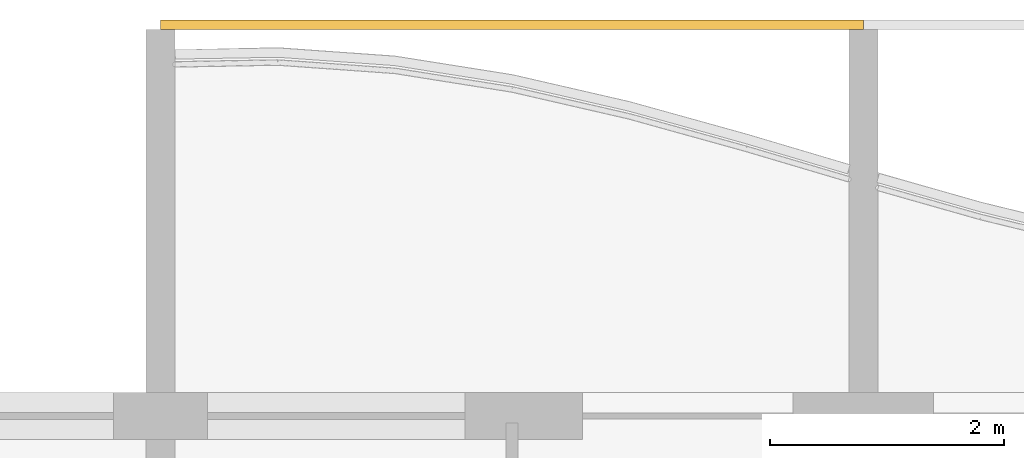
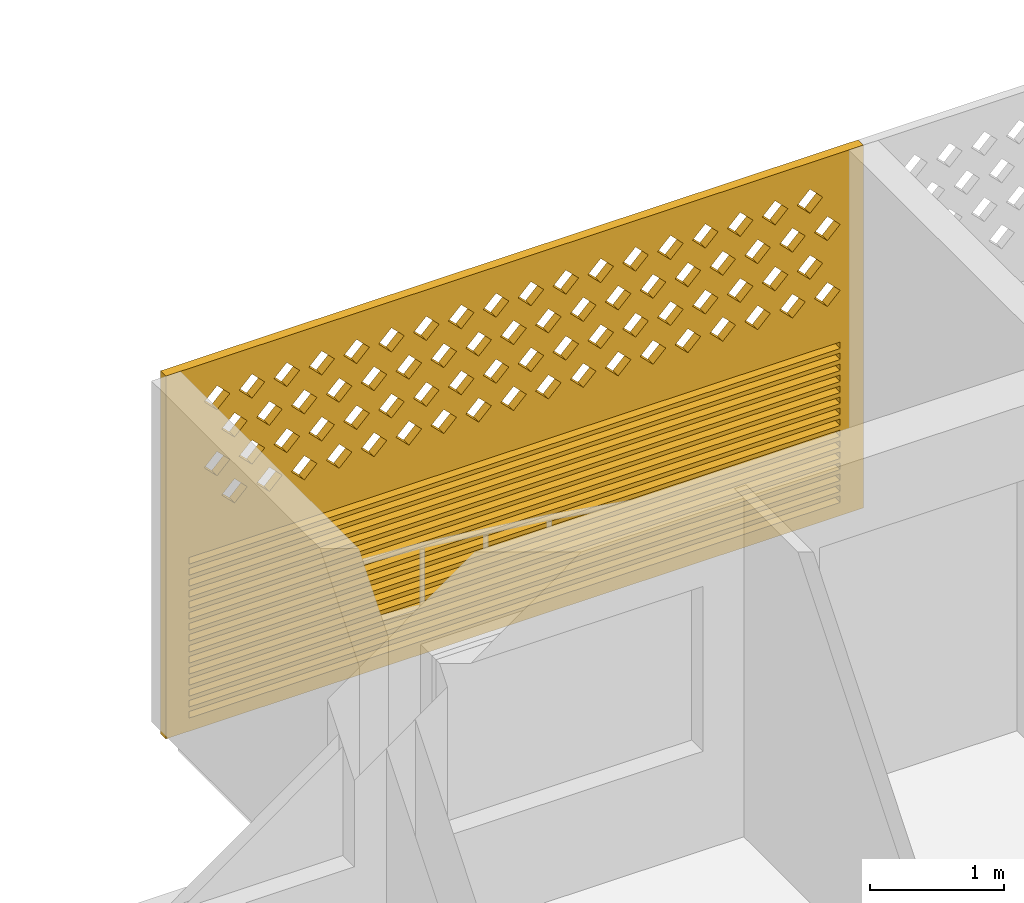
# One storey, part 21 of 27: 1 covering.
"""IFC4 building model written with IfcOpenShell, lengths in metres."""

import ifcopenshell
import ifcopenshell.guid

model = None  # the IFC model being written
_history = None  # IfcOwnerHistory: only IFC2X3 demands one
_inside = {}  # id of a spatial element -> (the spatial element, [elements in it])
_under = {}  # id of a project, library or spatial element -> (it, [spatial elements below it])
_declared = {}  # id of a project -> (the project, [libraries it declares])
_typed = {}  # id of a type object -> (the type object, [elements of that type])
_made_of = {}  # id of a material, layer set ... -> (it, [elements and type objects made of it])


def new_model(schema):
    """Start an empty IFC model of exactly this schema.

    Asked for "IFC4X3", IfcOpenShell would pick the latest addendum, in which some entities
    have other attributes; the version numbers below select the first issue.
    IFC2X3 requires an IfcOwnerHistory on every rooted entity: one is made here for all.
    """
    global model, _history
    if schema == "IFC4X3":
        model = ifcopenshell.file(schema_version=(4, 3, 0, 0))
    else:
        model = ifcopenshell.file(schema=schema)
    _inside.clear()
    _under.clear()
    _declared.clear()
    _typed.clear()
    _made_of.clear()
    _history = None
    if model.schema == "IFC2X3":
        org = make("IfcOrganization", Name="unknown")
        user = make(
            "IfcPersonAndOrganization",
            ThePerson=make("IfcPerson", FamilyName="unknown"),
            TheOrganization=org,
        )
        app = make(
            "IfcApplication",
            ApplicationDeveloper=org,
            Version="unknown",
            ApplicationFullName="unknown",
            ApplicationIdentifier="unknown",
        )
        _history = make(
            "IfcOwnerHistory",
            OwningUser=user,
            OwningApplication=app,
            ChangeAction="ADDED",
            CreationDate=0,
        )
    return model


def make(cls, **values):
    """One entity of the class cls with the attributes given. An attribute that is None is left unset."""
    return model.create_entity(
        cls, **{name: value for name, value in values.items() if value is not None}
    )


def rooted(cls, **values):
    """An entity with a GlobalId (a new one), such as an element, a storey or a relation."""
    return make(cls, GlobalId=ifcopenshell.guid.new(), OwnerHistory=_history, **values)


def si_unit(unit_type, name, prefix=None):
    """IfcSIUnit, for example si_unit("LENGTHUNIT", "METRE", prefix="MILLI")."""
    return make("IfcSIUnit", UnitType=unit_type, Prefix=prefix, Name=name)


def assignment(units):
    """IfcUnitAssignment: the units of a project."""
    return None if units is None else make("IfcUnitAssignment", Units=units)


def point(xyz):
    """IfcCartesianPoint."""
    return None if xyz is None else make("IfcCartesianPoint", Coordinates=xyz)


def direction(xyz):
    """IfcDirection."""
    return None if xyz is None else make("IfcDirection", DirectionRatios=xyz)


def frame(location, z_axis=None, x_axis=None):
    """IfcAxis2Placement3D, a coordinate frame: its origin and axes. An axis left out is left unset."""
    return make(
        "IfcAxis2Placement3D",
        Location=point(location),
        Axis=direction(z_axis),
        RefDirection=direction(x_axis),
    )


def origin():
    """The frame at (0, 0, 0) with its axes left unset."""
    return frame((0.0, 0.0, 0.0))


def place(relative_to, where):
    """IfcLocalPlacement: puts the frame where relative to a parent placement (None: the world)."""
    return make(
        "IfcLocalPlacement", PlacementRelTo=relative_to, RelativePlacement=where
    )


def context(
    kind, dimensions, precision=None, world=None, true_north=None, identifier=None
):
    """IfcGeometricRepresentationContext, for example the 3D "Model" context."""
    return make(
        "IfcGeometricRepresentationContext",
        ContextIdentifier=identifier,
        ContextType=kind,
        CoordinateSpaceDimension=dimensions,
        Precision=precision,
        WorldCoordinateSystem=world,
        TrueNorth=true_north,
    )


def subcontext(parent, identifier, kind, view, scale=None):
    """IfcGeometricRepresentationSubContext, for example "Body" below "Model"."""
    return make(
        "IfcGeometricRepresentationSubContext",
        ContextIdentifier=identifier,
        ContextType=kind,
        ParentContext=parent,
        TargetScale=scale,
        TargetView=view,
    )


def project(units=None, contexts=None):
    """IfcProject with its units and contexts."""
    return rooted(
        "IfcProject",
        Name="project",
        RepresentationContexts=contexts,
        UnitsInContext=assignment(units),
    )


def spatial(cls, under=None, at=None, **own):
    """A site, building, storey or space (cls), placed at a placement, below another one or the project."""
    s = rooted(cls, ObjectPlacement=at, **own)
    if under is not None:
        _under.setdefault(under.id(), (under, []))[1].append(s)
    return s


def polyline(points):
    """IfcPolyline through the points."""
    return make("IfcPolyline", Points=[point(p) for p in points])


def outline(outer, holes=None, kind="AREA"):
    """IfcArbitraryClosedProfileDef: a profile drawn as a closed curve; with holes, ...WithVoids."""
    if holes is None:
        return make("IfcArbitraryClosedProfileDef", ProfileType=kind, OuterCurve=outer)
    return make(
        "IfcArbitraryProfileDefWithVoids",
        ProfileType=kind,
        OuterCurve=outer,
        InnerCurves=holes,
    )


def extrude(swept, where, along, depth):
    """IfcExtrudedAreaSolid: the profile swept, set in the frame where, extruded along a direction by depth."""
    return make(
        "IfcExtrudedAreaSolid",
        SweptArea=swept,
        Position=where,
        ExtrudedDirection=direction(along),
        Depth=depth,
    )


def shape(context_of_items, identifier, shape_type, items):
    """IfcShapeRepresentation: the items that make up one representation, for example the "Body"."""
    return make(
        "IfcShapeRepresentation",
        ContextOfItems=context_of_items,
        RepresentationIdentifier=identifier,
        RepresentationType=shape_type,
        Items=items,
    )


def source(mapping_origin, context_of_items, identifier, shape_type, items):
    """IfcRepresentationMap: a shape defined once, which mapped items show again and again."""
    return make(
        "IfcRepresentationMap",
        MappingOrigin=mapping_origin,
        MappedRepresentation=shape(context_of_items, identifier, shape_type, items),
    )


def transform(
    local_origin,
    x_axis=None,
    y_axis=None,
    z_axis=None,
    scale=None,
    scale2=None,
    scale3=None,
    uniform=True,
):
    """IfcCartesianTransformationOperator3D, or its non-uniform kind. x_axis, y_axis, z_axis: its Axis1, 2, 3."""
    if uniform:
        return make(
            "IfcCartesianTransformationOperator3D",
            Axis1=direction(x_axis),
            Axis2=direction(y_axis),
            LocalOrigin=point(local_origin),
            Scale=scale,
            Axis3=direction(z_axis),
        )
    return make(
        "IfcCartesianTransformationOperator3DnonUniform",
        Axis1=direction(x_axis),
        Axis2=direction(y_axis),
        LocalOrigin=point(local_origin),
        Scale=scale,
        Axis3=direction(z_axis),
        Scale2=scale2,
        Scale3=scale3,
    )


def mapped(mapping_source, mapping_target):
    """IfcMappedItem: shows the shape of a source again, moved by a transform."""
    return make(
        "IfcMappedItem", MappingSource=mapping_source, MappingTarget=mapping_target
    )


def material(Name=None, Category=None):
    """IfcMaterial."""
    return make("IfcMaterial", Name=Name, Category=Category)


def material_profile(
    of_material, cross_section, Name=None, Category=None, Priority=None
):
    """IfcMaterialProfile: a cross section and its material."""
    return make(
        "IfcMaterialProfile",
        Name=Name,
        Material=of_material,
        Profile=cross_section,
        Priority=Priority,
        Category=Category,
    )


def profile_set(profiles, Name=None, composite=None):
    """IfcMaterialProfileSet."""
    return make(
        "IfcMaterialProfileSet",
        Name=Name,
        MaterialProfiles=profiles,
        CompositeProfile=composite,
    )


def made_of(thing, what):
    """Note that an element or type object is made of a material, layer set ...; save() writes the relation."""
    if what is not None:
        _made_of.setdefault(what.id(), (what, []))[1].append(thing)
    return thing


def type_object(cls, material=None, **own):
    """A type object (cls), such as IfcWallType, which elements share."""
    return made_of(rooted(cls, **own), material)


def element(
    cls,
    number,
    at=None,
    inside=None,
    cuts=None,
    type_object=None,
    material=None,
    context=None,
    identifier="Body",
    shape_type=None,
    held_by="IfcProductDefinitionShape",
    body=None,
    shapes=None,
    **own,
):
    """One element of the class cls, such as IfcWall. Its Tag is "e" and its number.

    at: its placement. inside: the storey or other place that contains it. cuts: it is an
    opening in that element (IfcRelVoidsElement). A single representation is given by context,
    identifier, shape_type and body (its items); several are given by shapes. held_by: the class
    of the entity that holds the representations. save() writes the other relations.
    """
    e = rooted(cls, Tag="e%d" % number, ObjectPlacement=at, **own)
    if body is not None:
        shapes = [shape(context, identifier, shape_type, body)]
    if shapes is not None:
        e.Representation = make(held_by, Representations=shapes)
    if inside is not None:
        _inside.setdefault(inside.id(), (inside, []))[1].append(e)
    if cuts is not None:
        rooted(
            "IfcRelVoidsElement", RelatingBuildingElement=cuts, RelatedOpeningElement=e
        )
    if type_object is not None:
        _typed.setdefault(type_object.id(), (type_object, []))[1].append(e)
    return made_of(e, material)


def aggregate(whole, parts):
    """IfcRelAggregates: a whole, such as a stair, and the parts it consists of."""
    return rooted("IfcRelAggregates", RelatingObject=whole, RelatedObjects=parts)


def save(model, path):
    """Write the relations noted so far, then the file.

    IfcRelAggregates (storeys below a building ...), IfcRelContainedInSpatialStructure (elements
    in a storey), IfcRelDefinesByType, IfcRelAssociatesMaterial and IfcRelDeclares: one each for
    every whole, place, type object, material and project.
    """
    for whole, parts in _under.values():
        aggregate(whole, parts)
    for where, things in _inside.values():
        rooted(
            "IfcRelContainedInSpatialStructure",
            RelatedElements=things,
            RelatingStructure=where,
        )
    for kind, things in _typed.values():
        rooted("IfcRelDefinesByType", RelatedObjects=things, RelatingType=kind)
    for what, things in _made_of.values():
        rooted("IfcRelAssociatesMaterial", RelatedObjects=things, RelatingMaterial=what)
    for by, libraries in _declared.values():
        rooted("IfcRelDeclares", RelatingContext=by, RelatedDefinitions=libraries)
    model.write(path)


model = new_model("IFC4")

# Units and contexts
model_context = context("Model", 3, precision=1e-05, world=origin(), true_north=direction((0.0, 1.0)))
body_context = subcontext(model_context, "Body", "Model", "MODEL_VIEW")
ifc_project = project(units=[si_unit("LENGTHUNIT", "METRE"), si_unit("AREAUNIT", "SQUARE_METRE"), si_unit("VOLUMEUNIT", "CUBIC_METRE"), si_unit("PLANEANGLEUNIT", "RADIAN"), si_unit("MASSUNIT", "GRAM", prefix="KILO")], contexts=[model_context])

# Site, building, storey
site_placement = place(None, origin())
site = spatial("IfcSite", under=ifc_project, at=site_placement, CompositionType="ELEMENT")
building_placement = place(site_placement, origin())
building = spatial("IfcBuilding", under=site, at=building_placement, Name="Poui Terraces", CompositionType="ELEMENT")
storey_placement = place(building_placement, frame((0.0, 0.0, 251.10009765625)))
storey = spatial("IfcBuildingStorey", under=building, at=storey_placement, Name="L70", CompositionType="ELEMENT", Elevation=251.10009765625)

# Covering
ifc_material = material(Name="Terracotta screen", Category="masonry")
ifc_material_profile = material_profile(ifc_material, outline(polyline([(-3.0, -1.64990234375), (3.0, -1.64990234375), (3.0, 1.64990234375), (-3.0, 1.64990234375), (-3.0, -1.64990234375)]), holes=[polyline([(-2.800048828125, 0.39990234375), (-2.68994140625, 0.2900390625), (-2.580078125, 0.39990234375), (-2.68994140625, 0.510009765625), (-2.800048828125, 0.39990234375)]), polyline([(-2.5, 0.39990234375), (-2.389892578125, 0.2900390625), (-2.280029296875, 0.39990234375), (-2.389892578125, 0.510009765625), (-2.5, 0.39990234375)]), polyline([(-2.199951171875, 0.39990234375), (-2.090087890625, 0.2900390625), (-1.97998046875, 0.39990234375), (-2.090087890625, 0.510009765625), (-2.199951171875, 0.39990234375)]), polyline([(-1.89990234375, 0.39990234375), (-1.7900390625, 0.2900390625), (-1.679931640625, 0.39990234375), (-1.7900390625, 0.510009765625), (-1.89990234375, 0.39990234375)]), polyline([(-1.60009765625, 0.39990234375), (-1.489990234375, 0.2900390625), (-1.3798828125, 0.39990234375), (-1.489990234375, 0.510009765625), (-1.60009765625, 0.39990234375)]), polyline([(-1.300048828125, 0.39990234375), (-1.18994140625, 0.2900390625), (-1.080078125, 0.39990234375), (-1.18994140625, 0.510009765625), (-1.300048828125, 0.39990234375)]), polyline([(-1.0, 0.39990234375), (-0.889892578125, 0.2900390625), (-0.780029296875, 0.39990234375), (-0.889892578125, 0.510009765625), (-1.0, 0.39990234375)]), polyline([(-0.699951171875, 0.39990234375), (-0.590087890625, 0.2900390625), (-0.47998046875, 0.39990234375), (-0.590087890625, 0.510009765625), (-0.699951171875, 0.39990234375)]), polyline([(-0.39990234375, 0.39990234375), (-0.2900390625, 0.2900390625), (-0.179931640625, 0.39990234375), (-0.2900390625, 0.510009765625), (-0.39990234375, 0.39990234375)]), polyline([(-0.10009765625, 0.39990234375), (0.010009765625, 0.2900390625), (0.1201171875, 0.39990234375), (0.010009765625, 0.510009765625), (-0.10009765625, 0.39990234375)]), polyline([(0.199951171875, 0.39990234375), (0.31005859375, 0.2900390625), (0.419921875, 0.39990234375), (0.31005859375, 0.510009765625), (0.199951171875, 0.39990234375)]), polyline([(0.5, 0.39990234375), (0.610107421875, 0.2900390625), (0.719970703125, 0.39990234375), (0.610107421875, 0.510009765625), (0.5, 0.39990234375)]), polyline([(0.800048828125, 0.39990234375), (0.909912109375, 0.2900390625), (1.02001953125, 0.39990234375), (0.909912109375, 0.510009765625), (0.800048828125, 0.39990234375)]), polyline([(1.10009765625, 0.39990234375), (1.2099609375, 0.2900390625), (1.320068359375, 0.39990234375), (1.2099609375, 0.510009765625), (1.10009765625, 0.39990234375)]), polyline([(1.39990234375, 0.39990234375), (1.510009765625, 0.2900390625), (1.6201171875, 0.39990234375), (1.510009765625, 0.510009765625), (1.39990234375, 0.39990234375)]), polyline([(1.699951171875, 0.39990234375), (1.81005859375, 0.2900390625), (1.919921875, 0.39990234375), (1.81005859375, 0.510009765625), (1.699951171875, 0.39990234375)]), polyline([(2.0, 0.39990234375), (2.110107421875, 0.2900390625), (2.219970703125, 0.39990234375), (2.110107421875, 0.510009765625), (2.0, 0.39990234375)]), polyline([(2.300048828125, 0.39990234375), (2.409912109375, 0.2900390625), (2.52001953125, 0.39990234375), (2.409912109375, 0.510009765625), (2.300048828125, 0.39990234375)]), polyline([(-2.64990234375, 0.699951171875), (-2.5400390625, 0.590087890625), (-2.429931640625, 0.699951171875), (-2.5400390625, 0.81005859375), (-2.64990234375, 0.699951171875)]), polyline([(-2.35009765625, 0.699951171875), (-2.239990234375, 0.590087890625), (-2.1298828125, 0.699951171875), (-2.239990234375, 0.81005859375), (-2.35009765625, 0.699951171875)]), polyline([(-2.050048828125, 0.699951171875), (-1.93994140625, 0.590087890625), (-1.830078125, 0.699951171875), (-1.93994140625, 0.81005859375), (-2.050048828125, 0.699951171875)]), polyline([(-1.75, 0.699951171875), (-1.639892578125, 0.590087890625), (-1.530029296875, 0.699951171875), (-1.639892578125, 0.81005859375), (-1.75, 0.699951171875)]), polyline([(-1.449951171875, 0.699951171875), (-1.340087890625, 0.590087890625), (-1.22998046875, 0.699951171875), (-1.340087890625, 0.81005859375), (-1.449951171875, 0.699951171875)]), polyline([(-1.14990234375, 0.699951171875), (-1.0400390625, 0.590087890625), (-0.929931640625, 0.699951171875), (-1.0400390625, 0.81005859375), (-1.14990234375, 0.699951171875)]), polyline([(-0.85009765625, 0.699951171875), (-0.739990234375, 0.590087890625), (-0.6298828125, 0.699951171875), (-0.739990234375, 0.81005859375), (-0.85009765625, 0.699951171875)]), polyline([(-0.550048828125, 0.699951171875), (-0.43994140625, 0.590087890625), (-0.330078125, 0.699951171875), (-0.43994140625, 0.81005859375), (-0.550048828125, 0.699951171875)]), polyline([(-0.25, 0.699951171875), (-0.139892578125, 0.590087890625), (-0.030029296875, 0.699951171875), (-0.139892578125, 0.81005859375), (-0.25, 0.699951171875)]), polyline([(0.050048828125, 0.699951171875), (0.159912109375, 0.590087890625), (0.27001953125, 0.699951171875), (0.159912109375, 0.81005859375), (0.050048828125, 0.699951171875)]), polyline([(0.35009765625, 0.699951171875), (0.4599609375, 0.590087890625), (0.570068359375, 0.699951171875), (0.4599609375, 0.81005859375), (0.35009765625, 0.699951171875)]), polyline([(0.64990234375, 0.699951171875), (0.760009765625, 0.590087890625), (0.8701171875, 0.699951171875), (0.760009765625, 0.81005859375), (0.64990234375, 0.699951171875)]), polyline([(0.949951171875, 0.699951171875), (1.06005859375, 0.590087890625), (1.169921875, 0.699951171875), (1.06005859375, 0.81005859375), (0.949951171875, 0.699951171875)]), polyline([(1.25, 0.699951171875), (1.360107421875, 0.590087890625), (1.469970703125, 0.699951171875), (1.360107421875, 0.81005859375), (1.25, 0.699951171875)]), polyline([(1.550048828125, 0.699951171875), (1.659912109375, 0.590087890625), (1.77001953125, 0.699951171875), (1.659912109375, 0.81005859375), (1.550048828125, 0.699951171875)]), polyline([(1.85009765625, 0.699951171875), (1.9599609375, 0.590087890625), (2.070068359375, 0.699951171875), (1.9599609375, 0.81005859375), (1.85009765625, 0.699951171875)]), polyline([(2.14990234375, 0.699951171875), (2.260009765625, 0.590087890625), (2.3701171875, 0.699951171875), (2.260009765625, 0.81005859375), (2.14990234375, 0.699951171875)]), polyline([(2.449951171875, 0.699951171875), (2.56005859375, 0.590087890625), (2.669921875, 0.699951171875), (2.56005859375, 0.81005859375), (2.449951171875, 0.699951171875)]), polyline([(-2.800048828125, 1.0), (-2.68994140625, 0.889892578125), (-2.580078125, 1.0), (-2.68994140625, 1.110107421875), (-2.800048828125, 1.0)]), polyline([(-2.5, 1.0), (-2.389892578125, 0.889892578125), (-2.280029296875, 1.0), (-2.389892578125, 1.110107421875), (-2.5, 1.0)]), polyline([(-2.199951171875, 1.0), (-2.090087890625, 0.889892578125), (-1.97998046875, 1.0), (-2.090087890625, 1.110107421875), (-2.199951171875, 1.0)]), polyline([(-1.89990234375, 1.0), (-1.7900390625, 0.889892578125), (-1.679931640625, 1.0), (-1.7900390625, 1.110107421875), (-1.89990234375, 1.0)]), polyline([(-1.60009765625, 1.0), (-1.489990234375, 0.889892578125), (-1.3798828125, 1.0), (-1.489990234375, 1.110107421875), (-1.60009765625, 1.0)]), polyline([(-1.300048828125, 1.0), (-1.18994140625, 0.889892578125), (-1.080078125, 1.0), (-1.18994140625, 1.110107421875), (-1.300048828125, 1.0)]), polyline([(-1.0, 1.0), (-0.889892578125, 0.889892578125), (-0.780029296875, 1.0), (-0.889892578125, 1.110107421875), (-1.0, 1.0)]), polyline([(-0.699951171875, 1.0), (-0.590087890625, 0.889892578125), (-0.47998046875, 1.0), (-0.590087890625, 1.110107421875), (-0.699951171875, 1.0)]), polyline([(-0.39990234375, 1.0), (-0.2900390625, 0.889892578125), (-0.179931640625, 1.0), (-0.2900390625, 1.110107421875), (-0.39990234375, 1.0)]), polyline([(-0.10009765625, 1.0), (0.010009765625, 0.889892578125), (0.1201171875, 1.0), (0.010009765625, 1.110107421875), (-0.10009765625, 1.0)]), polyline([(0.199951171875, 1.0), (0.31005859375, 0.889892578125), (0.419921875, 1.0), (0.31005859375, 1.110107421875), (0.199951171875, 1.0)]), polyline([(0.5, 1.0), (0.610107421875, 0.889892578125), (0.719970703125, 1.0), (0.610107421875, 1.110107421875), (0.5, 1.0)]), polyline([(0.800048828125, 1.0), (0.909912109375, 0.889892578125), (1.02001953125, 1.0), (0.909912109375, 1.110107421875), (0.800048828125, 1.0)]), polyline([(1.10009765625, 1.0), (1.2099609375, 0.889892578125), (1.320068359375, 1.0), (1.2099609375, 1.110107421875), (1.10009765625, 1.0)]), polyline([(1.39990234375, 1.0), (1.510009765625, 0.889892578125), (1.6201171875, 1.0), (1.510009765625, 1.110107421875), (1.39990234375, 1.0)]), polyline([(1.699951171875, 1.0), (1.81005859375, 0.889892578125), (1.919921875, 1.0), (1.81005859375, 1.110107421875), (1.699951171875, 1.0)]), polyline([(2.0, 1.0), (2.110107421875, 0.889892578125), (2.219970703125, 1.0), (2.110107421875, 1.110107421875), (2.0, 1.0)]), polyline([(2.300048828125, 1.0), (2.409912109375, 0.889892578125), (2.52001953125, 1.0), (2.409912109375, 1.110107421875), (2.300048828125, 1.0)]), polyline([(-2.64990234375, 1.300048828125), (-2.5400390625, 1.18994140625), (-2.429931640625, 1.300048828125), (-2.5400390625, 1.409912109375), (-2.64990234375, 1.300048828125)]), polyline([(-2.35009765625, 1.300048828125), (-2.239990234375, 1.18994140625), (-2.1298828125, 1.300048828125), (-2.239990234375, 1.409912109375), (-2.35009765625, 1.300048828125)]), polyline([(-2.050048828125, 1.300048828125), (-1.93994140625, 1.18994140625), (-1.830078125, 1.300048828125), (-1.93994140625, 1.409912109375), (-2.050048828125, 1.300048828125)]), polyline([(-1.75, 1.300048828125), (-1.639892578125, 1.18994140625), (-1.530029296875, 1.300048828125), (-1.639892578125, 1.409912109375), (-1.75, 1.300048828125)]), polyline([(-1.449951171875, 1.300048828125), (-1.340087890625, 1.18994140625), (-1.22998046875, 1.300048828125), (-1.340087890625, 1.409912109375), (-1.449951171875, 1.300048828125)]), polyline([(-1.14990234375, 1.300048828125), (-1.0400390625, 1.18994140625), (-0.929931640625, 1.300048828125), (-1.0400390625, 1.409912109375), (-1.14990234375, 1.300048828125)]), polyline([(-0.85009765625, 1.300048828125), (-0.739990234375, 1.18994140625), (-0.6298828125, 1.300048828125), (-0.739990234375, 1.409912109375), (-0.85009765625, 1.300048828125)]), polyline([(-0.550048828125, 1.300048828125), (-0.43994140625, 1.18994140625), (-0.330078125, 1.300048828125), (-0.43994140625, 1.409912109375), (-0.550048828125, 1.300048828125)]), polyline([(-0.25, 1.300048828125), (-0.139892578125, 1.18994140625), (-0.030029296875, 1.300048828125), (-0.139892578125, 1.409912109375), (-0.25, 1.300048828125)]), polyline([(0.050048828125, 1.300048828125), (0.159912109375, 1.18994140625), (0.27001953125, 1.300048828125), (0.159912109375, 1.409912109375), (0.050048828125, 1.300048828125)]), polyline([(0.35009765625, 1.300048828125), (0.4599609375, 1.18994140625), (0.570068359375, 1.300048828125), (0.4599609375, 1.409912109375), (0.35009765625, 1.300048828125)]), polyline([(0.64990234375, 1.300048828125), (0.760009765625, 1.18994140625), (0.8701171875, 1.300048828125), (0.760009765625, 1.409912109375), (0.64990234375, 1.300048828125)]), polyline([(0.949951171875, 1.300048828125), (1.06005859375, 1.18994140625), (1.169921875, 1.300048828125), (1.06005859375, 1.409912109375), (0.949951171875, 1.300048828125)]), polyline([(1.25, 1.300048828125), (1.360107421875, 1.18994140625), (1.469970703125, 1.300048828125), (1.360107421875, 1.409912109375), (1.25, 1.300048828125)]), polyline([(1.550048828125, 1.300048828125), (1.659912109375, 1.18994140625), (1.77001953125, 1.300048828125), (1.659912109375, 1.409912109375), (1.550048828125, 1.300048828125)]), polyline([(1.85009765625, 1.300048828125), (1.9599609375, 1.18994140625), (2.070068359375, 1.300048828125), (1.9599609375, 1.409912109375), (1.85009765625, 1.300048828125)]), polyline([(2.14990234375, 1.300048828125), (2.260009765625, 1.18994140625), (2.3701171875, 1.300048828125), (2.260009765625, 1.409912109375), (2.14990234375, 1.300048828125)]), polyline([(2.449951171875, 1.300048828125), (2.56005859375, 1.18994140625), (2.669921875, 1.300048828125), (2.56005859375, 1.409912109375), (2.449951171875, 1.300048828125)]), polyline([(-2.800048828125, -1.530029296875), (2.800048828125, -1.530029296875), (2.800048828125, -1.469970703125), (-2.800048828125, -1.469970703125), (-2.800048828125, -1.530029296875)]), polyline([(-2.800048828125, -1.429931640625), (2.800048828125, -1.429931640625), (2.800048828125, -1.3701171875), (-2.800048828125, -1.3701171875), (-2.800048828125, -1.429931640625)]), polyline([(-2.800048828125, -1.330078125), (2.800048828125, -1.330078125), (2.800048828125, -1.27001953125), (-2.800048828125, -1.27001953125), (-2.800048828125, -1.330078125)]), polyline([(-2.800048828125, -1.22998046875), (2.800048828125, -1.22998046875), (2.800048828125, -1.169921875), (-2.800048828125, -1.169921875), (-2.800048828125, -1.22998046875)]), polyline([(-2.800048828125, -1.1298828125), (2.800048828125, -1.1298828125), (2.800048828125, -1.070068359375), (-2.800048828125, -1.070068359375), (-2.800048828125, -1.1298828125)]), polyline([(-2.800048828125, -1.030029296875), (2.800048828125, -1.030029296875), (2.800048828125, -0.969970703125), (-2.800048828125, -0.969970703125), (-2.800048828125, -1.030029296875)]), polyline([(-2.800048828125, -0.929931640625), (2.800048828125, -0.929931640625), (2.800048828125, -0.8701171875), (-2.800048828125, -0.8701171875), (-2.800048828125, -0.929931640625)]), polyline([(-2.800048828125, -0.830078125), (2.800048828125, -0.830078125), (2.800048828125, -0.77001953125), (-2.800048828125, -0.77001953125), (-2.800048828125, -0.830078125)]), polyline([(-2.800048828125, -0.72998046875), (2.800048828125, -0.72998046875), (2.800048828125, -0.669921875), (-2.800048828125, -0.669921875), (-2.800048828125, -0.72998046875)]), polyline([(-2.800048828125, -0.6298828125), (2.800048828125, -0.6298828125), (2.800048828125, -0.570068359375), (-2.800048828125, -0.570068359375), (-2.800048828125, -0.6298828125)]), polyline([(-2.800048828125, -0.530029296875), (2.800048828125, -0.530029296875), (2.800048828125, -0.469970703125), (-2.800048828125, -0.469970703125), (-2.800048828125, -0.530029296875)]), polyline([(-2.800048828125, -0.429931640625), (2.800048828125, -0.429931640625), (2.800048828125, -0.3701171875), (-2.800048828125, -0.3701171875), (-2.800048828125, -0.429931640625)]), polyline([(-2.800048828125, -0.330078125), (2.800048828125, -0.330078125), (2.800048828125, -0.27001953125), (-2.800048828125, -0.27001953125), (-2.800048828125, -0.330078125)]), polyline([(-2.800048828125, -0.22998046875), (2.800048828125, -0.22998046875), (2.800048828125, -0.169921875), (-2.800048828125, -0.169921875), (-2.800048828125, -0.22998046875)]), polyline([(-2.800048828125, -0.1298828125), (2.800048828125, -0.1298828125), (2.800048828125, -0.070068359375), (-2.800048828125, -0.070068359375), (-2.800048828125, -0.1298828125)])]), Name="TERRACOTTA SCREEN AND JALOUSIE LOUVRE 6000X3300")
ifc_profile_set = profile_set([ifc_material_profile], Name="Terracotta screen")
covering_type = type_object("IfcCoveringType", Name="TERRACOTTA SCREEN AND JALOUSIE LOUVRE 6000X3300", PredefinedType="CLADDING", material=ifc_profile_set)
shared_shape = source(origin(), body_context, "Body", "SweptSolid", [
    extrude(outline(polyline([(-3.0, -1.64990234375), (3.0, -1.64990234375), (3.0, 1.64990234375), (-3.0, 1.64990234375), (-3.0, -1.64990234375)]), holes=[polyline([(-2.800048828125, 0.39990234375), (-2.68994140625, 0.2900390625), (-2.580078125, 0.39990234375), (-2.68994140625, 0.510009765625), (-2.800048828125, 0.39990234375)]), polyline([(-2.5, 0.39990234375), (-2.389892578125, 0.2900390625), (-2.280029296875, 0.39990234375), (-2.389892578125, 0.510009765625), (-2.5, 0.39990234375)]), polyline([(-2.199951171875, 0.39990234375), (-2.090087890625, 0.2900390625), (-1.97998046875, 0.39990234375), (-2.090087890625, 0.510009765625), (-2.199951171875, 0.39990234375)]), polyline([(-1.89990234375, 0.39990234375), (-1.7900390625, 0.2900390625), (-1.679931640625, 0.39990234375), (-1.7900390625, 0.510009765625), (-1.89990234375, 0.39990234375)]), polyline([(-1.60009765625, 0.39990234375), (-1.489990234375, 0.2900390625), (-1.3798828125, 0.39990234375), (-1.489990234375, 0.510009765625), (-1.60009765625, 0.39990234375)]), polyline([(-1.300048828125, 0.39990234375), (-1.18994140625, 0.2900390625), (-1.080078125, 0.39990234375), (-1.18994140625, 0.510009765625), (-1.300048828125, 0.39990234375)]), polyline([(-1.0, 0.39990234375), (-0.889892578125, 0.2900390625), (-0.780029296875, 0.39990234375), (-0.889892578125, 0.510009765625), (-1.0, 0.39990234375)]), polyline([(-0.699951171875, 0.39990234375), (-0.590087890625, 0.2900390625), (-0.47998046875, 0.39990234375), (-0.590087890625, 0.510009765625), (-0.699951171875, 0.39990234375)]), polyline([(-0.39990234375, 0.39990234375), (-0.2900390625, 0.2900390625), (-0.179931640625, 0.39990234375), (-0.2900390625, 0.510009765625), (-0.39990234375, 0.39990234375)]), polyline([(-0.10009765625, 0.39990234375), (0.010009765625, 0.2900390625), (0.1201171875, 0.39990234375), (0.010009765625, 0.510009765625), (-0.10009765625, 0.39990234375)]), polyline([(0.199951171875, 0.39990234375), (0.31005859375, 0.2900390625), (0.419921875, 0.39990234375), (0.31005859375, 0.510009765625), (0.199951171875, 0.39990234375)]), polyline([(0.5, 0.39990234375), (0.610107421875, 0.2900390625), (0.719970703125, 0.39990234375), (0.610107421875, 0.510009765625), (0.5, 0.39990234375)]), polyline([(0.800048828125, 0.39990234375), (0.909912109375, 0.2900390625), (1.02001953125, 0.39990234375), (0.909912109375, 0.510009765625), (0.800048828125, 0.39990234375)]), polyline([(1.10009765625, 0.39990234375), (1.2099609375, 0.2900390625), (1.320068359375, 0.39990234375), (1.2099609375, 0.510009765625), (1.10009765625, 0.39990234375)]), polyline([(1.39990234375, 0.39990234375), (1.510009765625, 0.2900390625), (1.6201171875, 0.39990234375), (1.510009765625, 0.510009765625), (1.39990234375, 0.39990234375)]), polyline([(1.699951171875, 0.39990234375), (1.81005859375, 0.2900390625), (1.919921875, 0.39990234375), (1.81005859375, 0.510009765625), (1.699951171875, 0.39990234375)]), polyline([(2.0, 0.39990234375), (2.110107421875, 0.2900390625), (2.219970703125, 0.39990234375), (2.110107421875, 0.510009765625), (2.0, 0.39990234375)]), polyline([(2.300048828125, 0.39990234375), (2.409912109375, 0.2900390625), (2.52001953125, 0.39990234375), (2.409912109375, 0.510009765625), (2.300048828125, 0.39990234375)]), polyline([(-2.64990234375, 0.699951171875), (-2.5400390625, 0.590087890625), (-2.429931640625, 0.699951171875), (-2.5400390625, 0.81005859375), (-2.64990234375, 0.699951171875)]), polyline([(-2.35009765625, 0.699951171875), (-2.239990234375, 0.590087890625), (-2.1298828125, 0.699951171875), (-2.239990234375, 0.81005859375), (-2.35009765625, 0.699951171875)]), polyline([(-2.050048828125, 0.699951171875), (-1.93994140625, 0.590087890625), (-1.830078125, 0.699951171875), (-1.93994140625, 0.81005859375), (-2.050048828125, 0.699951171875)]), polyline([(-1.75, 0.699951171875), (-1.639892578125, 0.590087890625), (-1.530029296875, 0.699951171875), (-1.639892578125, 0.81005859375), (-1.75, 0.699951171875)]), polyline([(-1.449951171875, 0.699951171875), (-1.340087890625, 0.590087890625), (-1.22998046875, 0.699951171875), (-1.340087890625, 0.81005859375), (-1.449951171875, 0.699951171875)]), polyline([(-1.14990234375, 0.699951171875), (-1.0400390625, 0.590087890625), (-0.929931640625, 0.699951171875), (-1.0400390625, 0.81005859375), (-1.14990234375, 0.699951171875)]), polyline([(-0.85009765625, 0.699951171875), (-0.739990234375, 0.590087890625), (-0.6298828125, 0.699951171875), (-0.739990234375, 0.81005859375), (-0.85009765625, 0.699951171875)]), polyline([(-0.550048828125, 0.699951171875), (-0.43994140625, 0.590087890625), (-0.330078125, 0.699951171875), (-0.43994140625, 0.81005859375), (-0.550048828125, 0.699951171875)]), polyline([(-0.25, 0.699951171875), (-0.139892578125, 0.590087890625), (-0.030029296875, 0.699951171875), (-0.139892578125, 0.81005859375), (-0.25, 0.699951171875)]), polyline([(0.050048828125, 0.699951171875), (0.159912109375, 0.590087890625), (0.27001953125, 0.699951171875), (0.159912109375, 0.81005859375), (0.050048828125, 0.699951171875)]), polyline([(0.35009765625, 0.699951171875), (0.4599609375, 0.590087890625), (0.570068359375, 0.699951171875), (0.4599609375, 0.81005859375), (0.35009765625, 0.699951171875)]), polyline([(0.64990234375, 0.699951171875), (0.760009765625, 0.590087890625), (0.8701171875, 0.699951171875), (0.760009765625, 0.81005859375), (0.64990234375, 0.699951171875)]), polyline([(0.949951171875, 0.699951171875), (1.06005859375, 0.590087890625), (1.169921875, 0.699951171875), (1.06005859375, 0.81005859375), (0.949951171875, 0.699951171875)]), polyline([(1.25, 0.699951171875), (1.360107421875, 0.590087890625), (1.469970703125, 0.699951171875), (1.360107421875, 0.81005859375), (1.25, 0.699951171875)]), polyline([(1.550048828125, 0.699951171875), (1.659912109375, 0.590087890625), (1.77001953125, 0.699951171875), (1.659912109375, 0.81005859375), (1.550048828125, 0.699951171875)]), polyline([(1.85009765625, 0.699951171875), (1.9599609375, 0.590087890625), (2.070068359375, 0.699951171875), (1.9599609375, 0.81005859375), (1.85009765625, 0.699951171875)]), polyline([(2.14990234375, 0.699951171875), (2.260009765625, 0.590087890625), (2.3701171875, 0.699951171875), (2.260009765625, 0.81005859375), (2.14990234375, 0.699951171875)]), polyline([(2.449951171875, 0.699951171875), (2.56005859375, 0.590087890625), (2.669921875, 0.699951171875), (2.56005859375, 0.81005859375), (2.449951171875, 0.699951171875)]), polyline([(-2.800048828125, 1.0), (-2.68994140625, 0.889892578125), (-2.580078125, 1.0), (-2.68994140625, 1.110107421875), (-2.800048828125, 1.0)]), polyline([(-2.5, 1.0), (-2.389892578125, 0.889892578125), (-2.280029296875, 1.0), (-2.389892578125, 1.110107421875), (-2.5, 1.0)]), polyline([(-2.199951171875, 1.0), (-2.090087890625, 0.889892578125), (-1.97998046875, 1.0), (-2.090087890625, 1.110107421875), (-2.199951171875, 1.0)]), polyline([(-1.89990234375, 1.0), (-1.7900390625, 0.889892578125), (-1.679931640625, 1.0), (-1.7900390625, 1.110107421875), (-1.89990234375, 1.0)]), polyline([(-1.60009765625, 1.0), (-1.489990234375, 0.889892578125), (-1.3798828125, 1.0), (-1.489990234375, 1.110107421875), (-1.60009765625, 1.0)]), polyline([(-1.300048828125, 1.0), (-1.18994140625, 0.889892578125), (-1.080078125, 1.0), (-1.18994140625, 1.110107421875), (-1.300048828125, 1.0)]), polyline([(-1.0, 1.0), (-0.889892578125, 0.889892578125), (-0.780029296875, 1.0), (-0.889892578125, 1.110107421875), (-1.0, 1.0)]), polyline([(-0.699951171875, 1.0), (-0.590087890625, 0.889892578125), (-0.47998046875, 1.0), (-0.590087890625, 1.110107421875), (-0.699951171875, 1.0)]), polyline([(-0.39990234375, 1.0), (-0.2900390625, 0.889892578125), (-0.179931640625, 1.0), (-0.2900390625, 1.110107421875), (-0.39990234375, 1.0)]), polyline([(-0.10009765625, 1.0), (0.010009765625, 0.889892578125), (0.1201171875, 1.0), (0.010009765625, 1.110107421875), (-0.10009765625, 1.0)]), polyline([(0.199951171875, 1.0), (0.31005859375, 0.889892578125), (0.419921875, 1.0), (0.31005859375, 1.110107421875), (0.199951171875, 1.0)]), polyline([(0.5, 1.0), (0.610107421875, 0.889892578125), (0.719970703125, 1.0), (0.610107421875, 1.110107421875), (0.5, 1.0)]), polyline([(0.800048828125, 1.0), (0.909912109375, 0.889892578125), (1.02001953125, 1.0), (0.909912109375, 1.110107421875), (0.800048828125, 1.0)]), polyline([(1.10009765625, 1.0), (1.2099609375, 0.889892578125), (1.320068359375, 1.0), (1.2099609375, 1.110107421875), (1.10009765625, 1.0)]), polyline([(1.39990234375, 1.0), (1.510009765625, 0.889892578125), (1.6201171875, 1.0), (1.510009765625, 1.110107421875), (1.39990234375, 1.0)]), polyline([(1.699951171875, 1.0), (1.81005859375, 0.889892578125), (1.919921875, 1.0), (1.81005859375, 1.110107421875), (1.699951171875, 1.0)]), polyline([(2.0, 1.0), (2.110107421875, 0.889892578125), (2.219970703125, 1.0), (2.110107421875, 1.110107421875), (2.0, 1.0)]), polyline([(2.300048828125, 1.0), (2.409912109375, 0.889892578125), (2.52001953125, 1.0), (2.409912109375, 1.110107421875), (2.300048828125, 1.0)]), polyline([(-2.64990234375, 1.300048828125), (-2.5400390625, 1.18994140625), (-2.429931640625, 1.300048828125), (-2.5400390625, 1.409912109375), (-2.64990234375, 1.300048828125)]), polyline([(-2.35009765625, 1.300048828125), (-2.239990234375, 1.18994140625), (-2.1298828125, 1.300048828125), (-2.239990234375, 1.409912109375), (-2.35009765625, 1.300048828125)]), polyline([(-2.050048828125, 1.300048828125), (-1.93994140625, 1.18994140625), (-1.830078125, 1.300048828125), (-1.93994140625, 1.409912109375), (-2.050048828125, 1.300048828125)]), polyline([(-1.75, 1.300048828125), (-1.639892578125, 1.18994140625), (-1.530029296875, 1.300048828125), (-1.639892578125, 1.409912109375), (-1.75, 1.300048828125)]), polyline([(-1.449951171875, 1.300048828125), (-1.340087890625, 1.18994140625), (-1.22998046875, 1.300048828125), (-1.340087890625, 1.409912109375), (-1.449951171875, 1.300048828125)]), polyline([(-1.14990234375, 1.300048828125), (-1.0400390625, 1.18994140625), (-0.929931640625, 1.300048828125), (-1.0400390625, 1.409912109375), (-1.14990234375, 1.300048828125)]), polyline([(-0.85009765625, 1.300048828125), (-0.739990234375, 1.18994140625), (-0.6298828125, 1.300048828125), (-0.739990234375, 1.409912109375), (-0.85009765625, 1.300048828125)]), polyline([(-0.550048828125, 1.300048828125), (-0.43994140625, 1.18994140625), (-0.330078125, 1.300048828125), (-0.43994140625, 1.409912109375), (-0.550048828125, 1.300048828125)]), polyline([(-0.25, 1.300048828125), (-0.139892578125, 1.18994140625), (-0.030029296875, 1.300048828125), (-0.139892578125, 1.409912109375), (-0.25, 1.300048828125)]), polyline([(0.050048828125, 1.300048828125), (0.159912109375, 1.18994140625), (0.27001953125, 1.300048828125), (0.159912109375, 1.409912109375), (0.050048828125, 1.300048828125)]), polyline([(0.35009765625, 1.300048828125), (0.4599609375, 1.18994140625), (0.570068359375, 1.300048828125), (0.4599609375, 1.409912109375), (0.35009765625, 1.300048828125)]), polyline([(0.64990234375, 1.300048828125), (0.760009765625, 1.18994140625), (0.8701171875, 1.300048828125), (0.760009765625, 1.409912109375), (0.64990234375, 1.300048828125)]), polyline([(0.949951171875, 1.300048828125), (1.06005859375, 1.18994140625), (1.169921875, 1.300048828125), (1.06005859375, 1.409912109375), (0.949951171875, 1.300048828125)]), polyline([(1.25, 1.300048828125), (1.360107421875, 1.18994140625), (1.469970703125, 1.300048828125), (1.360107421875, 1.409912109375), (1.25, 1.300048828125)]), polyline([(1.550048828125, 1.300048828125), (1.659912109375, 1.18994140625), (1.77001953125, 1.300048828125), (1.659912109375, 1.409912109375), (1.550048828125, 1.300048828125)]), polyline([(1.85009765625, 1.300048828125), (1.9599609375, 1.18994140625), (2.070068359375, 1.300048828125), (1.9599609375, 1.409912109375), (1.85009765625, 1.300048828125)]), polyline([(2.14990234375, 1.300048828125), (2.260009765625, 1.18994140625), (2.3701171875, 1.300048828125), (2.260009765625, 1.409912109375), (2.14990234375, 1.300048828125)]), polyline([(2.449951171875, 1.300048828125), (2.56005859375, 1.18994140625), (2.669921875, 1.300048828125), (2.56005859375, 1.409912109375), (2.449951171875, 1.300048828125)]), polyline([(-2.800048828125, -1.530029296875), (2.800048828125, -1.530029296875), (2.800048828125, -1.469970703125), (-2.800048828125, -1.469970703125), (-2.800048828125, -1.530029296875)]), polyline([(-2.800048828125, -1.429931640625), (2.800048828125, -1.429931640625), (2.800048828125, -1.3701171875), (-2.800048828125, -1.3701171875), (-2.800048828125, -1.429931640625)]), polyline([(-2.800048828125, -1.330078125), (2.800048828125, -1.330078125), (2.800048828125, -1.27001953125), (-2.800048828125, -1.27001953125), (-2.800048828125, -1.330078125)]), polyline([(-2.800048828125, -1.22998046875), (2.800048828125, -1.22998046875), (2.800048828125, -1.169921875), (-2.800048828125, -1.169921875), (-2.800048828125, -1.22998046875)]), polyline([(-2.800048828125, -1.1298828125), (2.800048828125, -1.1298828125), (2.800048828125, -1.070068359375), (-2.800048828125, -1.070068359375), (-2.800048828125, -1.1298828125)]), polyline([(-2.800048828125, -1.030029296875), (2.800048828125, -1.030029296875), (2.800048828125, -0.969970703125), (-2.800048828125, -0.969970703125), (-2.800048828125, -1.030029296875)]), polyline([(-2.800048828125, -0.929931640625), (2.800048828125, -0.929931640625), (2.800048828125, -0.8701171875), (-2.800048828125, -0.8701171875), (-2.800048828125, -0.929931640625)]), polyline([(-2.800048828125, -0.830078125), (2.800048828125, -0.830078125), (2.800048828125, -0.77001953125), (-2.800048828125, -0.77001953125), (-2.800048828125, -0.830078125)]), polyline([(-2.800048828125, -0.72998046875), (2.800048828125, -0.72998046875), (2.800048828125, -0.669921875), (-2.800048828125, -0.669921875), (-2.800048828125, -0.72998046875)]), polyline([(-2.800048828125, -0.6298828125), (2.800048828125, -0.6298828125), (2.800048828125, -0.570068359375), (-2.800048828125, -0.570068359375), (-2.800048828125, -0.6298828125)]), polyline([(-2.800048828125, -0.530029296875), (2.800048828125, -0.530029296875), (2.800048828125, -0.469970703125), (-2.800048828125, -0.469970703125), (-2.800048828125, -0.530029296875)]), polyline([(-2.800048828125, -0.429931640625), (2.800048828125, -0.429931640625), (2.800048828125, -0.3701171875), (-2.800048828125, -0.3701171875), (-2.800048828125, -0.429931640625)]), polyline([(-2.800048828125, -0.330078125), (2.800048828125, -0.330078125), (2.800048828125, -0.27001953125), (-2.800048828125, -0.27001953125), (-2.800048828125, -0.330078125)]), polyline([(-2.800048828125, -0.22998046875), (2.800048828125, -0.22998046875), (2.800048828125, -0.169921875), (-2.800048828125, -0.169921875), (-2.800048828125, -0.22998046875)]), polyline([(-2.800048828125, -0.1298828125), (2.800048828125, -0.1298828125), (2.800048828125, -0.070068359375), (-2.800048828125, -0.070068359375), (-2.800048828125, -0.1298828125)])]), origin(), (0.0, 0.0, 1.0), 0.080078125),
])
covering_placement = place(storey_placement, frame((51.0, 44.5, 1.449951171875), z_axis=(0.0, 1.0, 0.0), x_axis=(-1.0, 0.0, 0.0)))
element("IfcCovering", 1, at=covering_placement, inside=storey, type_object=covering_type, Name="SOLAR SCREEN AND JALOUSIE LOUVRE", PredefinedType="CLADDING", context=body_context, shape_type="MappedRepresentation", body=[
    mapped(shared_shape, transform((0.0, 0.0, 0.0))),
])

save(model, "model.ifc")
